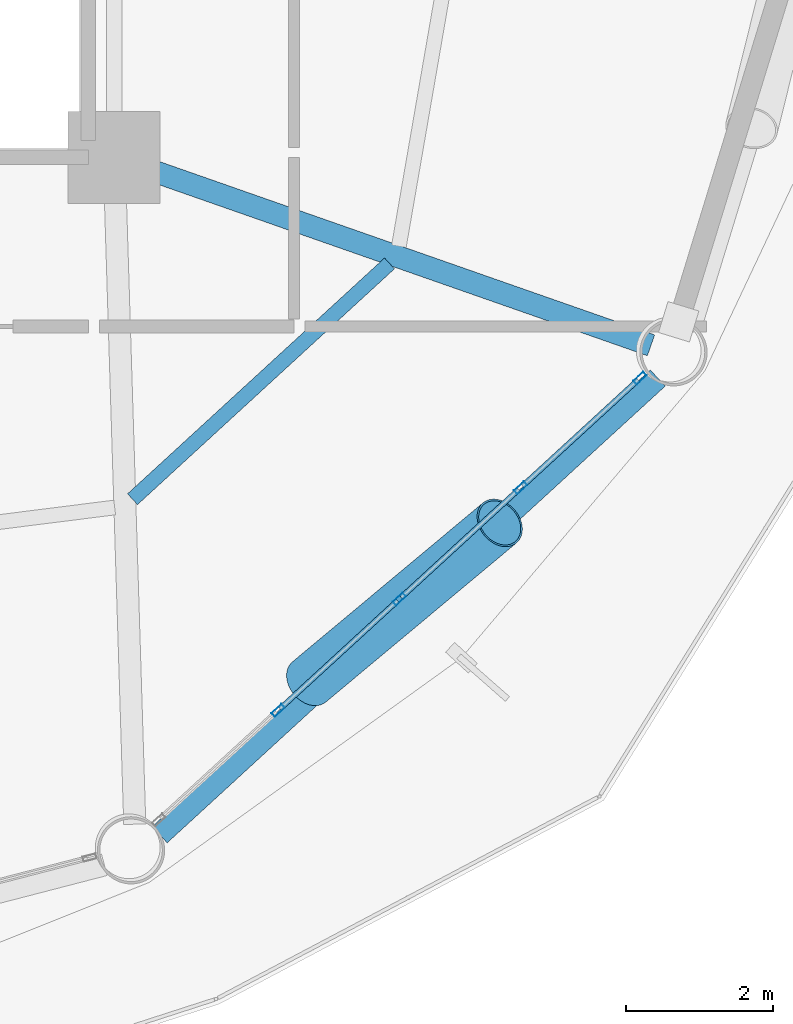
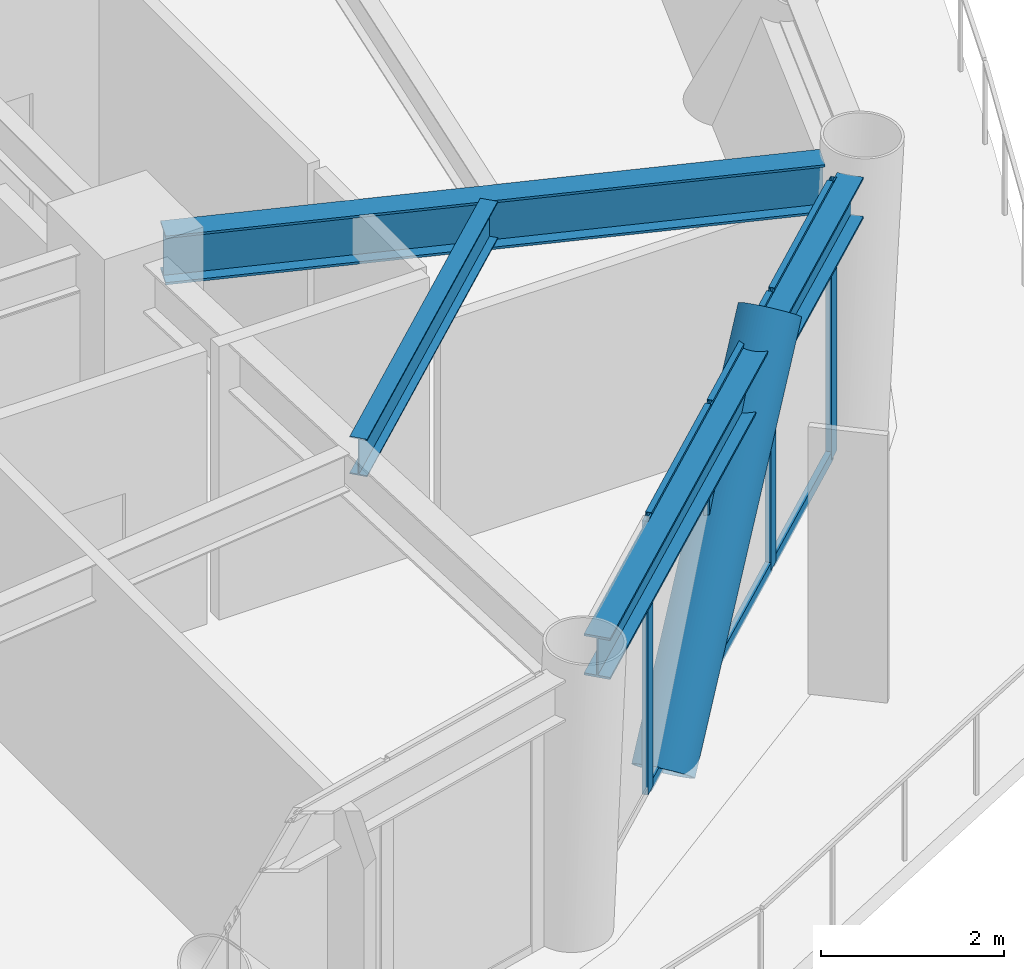
# One storey, part 13 of 23: 11 members, 3 beams, 1 element without a shape of its own.
"""IFC4 building model written with IfcOpenShell, lengths in metres."""

import ifcopenshell
import ifcopenshell.guid

model = None  # the IFC model being written
_history = None  # IfcOwnerHistory: only IFC2X3 demands one
_inside = {}  # id of a spatial element -> (the spatial element, [elements in it])
_under = {}  # id of a project, library or spatial element -> (it, [spatial elements below it])
_declared = {}  # id of a project -> (the project, [libraries it declares])
_typed = {}  # id of a type object -> (the type object, [elements of that type])
_made_of = {}  # id of a material, layer set ... -> (it, [elements and type objects made of it])


def new_model(schema):
    """Start an empty IFC model of exactly this schema.

    Asked for "IFC4X3", IfcOpenShell would pick the latest addendum, in which some entities
    have other attributes; the version numbers below select the first issue.
    IFC2X3 requires an IfcOwnerHistory on every rooted entity: one is made here for all.
    """
    global model, _history
    if schema == "IFC4X3":
        model = ifcopenshell.file(schema_version=(4, 3, 0, 0))
    else:
        model = ifcopenshell.file(schema=schema)
    _inside.clear()
    _under.clear()
    _declared.clear()
    _typed.clear()
    _made_of.clear()
    _history = None
    if model.schema == "IFC2X3":
        org = make("IfcOrganization", Name="unknown")
        user = make(
            "IfcPersonAndOrganization",
            ThePerson=make("IfcPerson", FamilyName="unknown"),
            TheOrganization=org,
        )
        app = make(
            "IfcApplication",
            ApplicationDeveloper=org,
            Version="unknown",
            ApplicationFullName="unknown",
            ApplicationIdentifier="unknown",
        )
        _history = make(
            "IfcOwnerHistory",
            OwningUser=user,
            OwningApplication=app,
            ChangeAction="ADDED",
            CreationDate=0,
        )
    return model


def make(cls, **values):
    """One entity of the class cls with the attributes given. An attribute that is None is left unset."""
    return model.create_entity(
        cls, **{name: value for name, value in values.items() if value is not None}
    )


def rooted(cls, **values):
    """An entity with a GlobalId (a new one), such as an element, a storey or a relation."""
    return make(cls, GlobalId=ifcopenshell.guid.new(), OwnerHistory=_history, **values)


def si_unit(unit_type, name, prefix=None):
    """IfcSIUnit, for example si_unit("LENGTHUNIT", "METRE", prefix="MILLI")."""
    return make("IfcSIUnit", UnitType=unit_type, Prefix=prefix, Name=name)


def assignment(units):
    """IfcUnitAssignment: the units of a project."""
    return None if units is None else make("IfcUnitAssignment", Units=units)


def point(xyz):
    """IfcCartesianPoint."""
    return None if xyz is None else make("IfcCartesianPoint", Coordinates=xyz)


def direction(xyz):
    """IfcDirection."""
    return None if xyz is None else make("IfcDirection", DirectionRatios=xyz)


def frame(location, z_axis=None, x_axis=None):
    """IfcAxis2Placement3D, a coordinate frame: its origin and axes. An axis left out is left unset."""
    return make(
        "IfcAxis2Placement3D",
        Location=point(location),
        Axis=direction(z_axis),
        RefDirection=direction(x_axis),
    )


def frame_2d(location, x_axis=None):
    """IfcAxis2Placement2D, a coordinate frame in the plane: its origin and x axis."""
    return make(
        "IfcAxis2Placement2D", Location=point(location), RefDirection=direction(x_axis)
    )


def origin():
    """The frame at (0, 0, 0) with its axes left unset."""
    return frame((0.0, 0.0, 0.0))


def origin_2d():
    """The frame at (0, 0) in the plane with its x axis left unset."""
    return frame_2d((0.0, 0.0))


def place(relative_to, where):
    """IfcLocalPlacement: puts the frame where relative to a parent placement (None: the world)."""
    return make(
        "IfcLocalPlacement", PlacementRelTo=relative_to, RelativePlacement=where
    )


def context(
    kind, dimensions, precision=None, world=None, true_north=None, identifier=None
):
    """IfcGeometricRepresentationContext, for example the 3D "Model" context."""
    return make(
        "IfcGeometricRepresentationContext",
        ContextIdentifier=identifier,
        ContextType=kind,
        CoordinateSpaceDimension=dimensions,
        Precision=precision,
        WorldCoordinateSystem=world,
        TrueNorth=true_north,
    )


def subcontext(parent, identifier, kind, view, scale=None):
    """IfcGeometricRepresentationSubContext, for example "Body" below "Model"."""
    return make(
        "IfcGeometricRepresentationSubContext",
        ContextIdentifier=identifier,
        ContextType=kind,
        ParentContext=parent,
        TargetScale=scale,
        TargetView=view,
    )


def project(units=None, contexts=None):
    """IfcProject with its units and contexts."""
    return rooted(
        "IfcProject",
        Name="project",
        RepresentationContexts=contexts,
        UnitsInContext=assignment(units),
    )


def spatial(cls, under=None, at=None, **own):
    """A site, building, storey or space (cls), placed at a placement, below another one or the project."""
    s = rooted(cls, ObjectPlacement=at, **own)
    if under is not None:
        _under.setdefault(under.id(), (under, []))[1].append(s)
    return s


def profile(cls, at=None, kind="AREA", **sizes):
    """A parametric profile (cls). Its sizes go by their IFC names, for example OverallWidth=200.0."""
    return make(cls, ProfileType=kind, Position=at, **sizes)


def hollow_rectangle(**sizes):
    """IfcRectangleHollowProfileDef."""
    return profile("IfcRectangleHollowProfileDef", **sizes)


def hollow_circle(**sizes):
    """IfcCircleHollowProfileDef."""
    return profile("IfcCircleHollowProfileDef", **sizes)


def i_section(**sizes):
    """IfcIShapeProfileDef."""
    return profile("IfcIShapeProfileDef", **sizes)


def extrude(swept, where, along, depth):
    """IfcExtrudedAreaSolid: the profile swept, set in the frame where, extruded along a direction by depth."""
    return make(
        "IfcExtrudedAreaSolid",
        SweptArea=swept,
        Position=where,
        ExtrudedDirection=direction(along),
        Depth=depth,
    )


def shape(context_of_items, identifier, shape_type, items):
    """IfcShapeRepresentation: the items that make up one representation, for example the "Body"."""
    return make(
        "IfcShapeRepresentation",
        ContextOfItems=context_of_items,
        RepresentationIdentifier=identifier,
        RepresentationType=shape_type,
        Items=items,
    )


def material(Name=None, Category=None):
    """IfcMaterial."""
    return make("IfcMaterial", Name=Name, Category=Category)


def layer(
    of_material, thickness, ventilated=None, Name=None, Category=None, Priority=None
):
    """IfcMaterialLayer: one layer of a wall or slab, of a material (None: an air gap)."""
    return make(
        "IfcMaterialLayer",
        Material=of_material,
        LayerThickness=thickness,
        IsVentilated=ventilated,
        Name=Name,
        Category=Category,
        Priority=Priority,
    )


def layer_set(layers, Name=None):
    """IfcMaterialLayerSet."""
    return make("IfcMaterialLayerSet", MaterialLayers=layers, LayerSetName=Name)


def material_profile(
    of_material, cross_section, Name=None, Category=None, Priority=None
):
    """IfcMaterialProfile: a cross section and its material."""
    return make(
        "IfcMaterialProfile",
        Name=Name,
        Material=of_material,
        Profile=cross_section,
        Priority=Priority,
        Category=Category,
    )


def profile_set(profiles, Name=None, composite=None):
    """IfcMaterialProfileSet."""
    return make(
        "IfcMaterialProfileSet",
        Name=Name,
        MaterialProfiles=profiles,
        CompositeProfile=composite,
    )


def made_of(thing, what):
    """Note that an element or type object is made of a material, layer set ...; save() writes the relation."""
    if what is not None:
        _made_of.setdefault(what.id(), (what, []))[1].append(thing)
    return thing


def type_object(cls, material=None, **own):
    """A type object (cls), such as IfcWallType, which elements share."""
    return made_of(rooted(cls, **own), material)


def element(
    cls,
    number,
    at=None,
    inside=None,
    cuts=None,
    type_object=None,
    material=None,
    context=None,
    identifier="Body",
    shape_type=None,
    held_by="IfcProductDefinitionShape",
    body=None,
    shapes=None,
    **own,
):
    """One element of the class cls, such as IfcWall. Its Tag is "e" and its number.

    at: its placement. inside: the storey or other place that contains it. cuts: it is an
    opening in that element (IfcRelVoidsElement). A single representation is given by context,
    identifier, shape_type and body (its items); several are given by shapes. held_by: the class
    of the entity that holds the representations. save() writes the other relations.
    """
    e = rooted(cls, Tag="e%d" % number, ObjectPlacement=at, **own)
    if body is not None:
        shapes = [shape(context, identifier, shape_type, body)]
    if shapes is not None:
        e.Representation = make(held_by, Representations=shapes)
    if inside is not None:
        _inside.setdefault(inside.id(), (inside, []))[1].append(e)
    if cuts is not None:
        rooted(
            "IfcRelVoidsElement", RelatingBuildingElement=cuts, RelatedOpeningElement=e
        )
    if type_object is not None:
        _typed.setdefault(type_object.id(), (type_object, []))[1].append(e)
    return made_of(e, material)


def aggregate(whole, parts):
    """IfcRelAggregates: a whole, such as a stair, and the parts it consists of."""
    return rooted("IfcRelAggregates", RelatingObject=whole, RelatedObjects=parts)


def save(model, path):
    """Write the relations noted so far, then the file.

    IfcRelAggregates (storeys below a building ...), IfcRelContainedInSpatialStructure (elements
    in a storey), IfcRelDefinesByType, IfcRelAssociatesMaterial and IfcRelDeclares: one each for
    every whole, place, type object, material and project.
    """
    for whole, parts in _under.values():
        aggregate(whole, parts)
    for where, things in _inside.values():
        rooted(
            "IfcRelContainedInSpatialStructure",
            RelatedElements=things,
            RelatingStructure=where,
        )
    for kind, things in _typed.values():
        rooted("IfcRelDefinesByType", RelatedObjects=things, RelatingType=kind)
    for what, things in _made_of.values():
        rooted("IfcRelAssociatesMaterial", RelatedObjects=things, RelatingMaterial=what)
    for by, libraries in _declared.values():
        rooted("IfcRelDeclares", RelatingContext=by, RelatedDefinitions=libraries)
    model.write(path)


model = new_model("IFC4")

# Units and contexts
model_context = context("Model", 3, precision=1e-05, world=origin(), true_north=direction((0.0, 1.0)))
body_context = subcontext(model_context, "Body", "Model", "MODEL_VIEW")
ifc_project = project(units=[si_unit("LENGTHUNIT", "METRE"), si_unit("AREAUNIT", "SQUARE_METRE"), si_unit("VOLUMEUNIT", "CUBIC_METRE"), si_unit("PLANEANGLEUNIT", "RADIAN"), si_unit("MASSUNIT", "GRAM", prefix="KILO")], contexts=[model_context])

# Site, building, storey
site_placement = place(None, origin())
site = spatial("IfcSite", under=ifc_project, at=site_placement, CompositionType="ELEMENT")
building_placement = place(site_placement, origin())
building = spatial("IfcBuilding", under=site, at=building_placement, Name="Varnakorn Sky Granary", CompositionType="ELEMENT")
storey_placement = place(building_placement, frame((0.0, 0.0, 31.5)))
storey = spatial("IfcBuildingStorey", under=building, at=storey_placement, Name="L07", CompositionType="ELEMENT", Elevation=31.5)

# Beams
ifc_material_1 = material(Name="Steel S355JR", Category="steel")
ifc_material_profile_1 = material_profile(ifc_material_1, i_section(OverallWidth=0.300048828125, OverallDepth=0.64990234375, WebThickness=0.01611328125, FlangeThickness=0.031005859375, at=origin_2d()), Name="HE 650 B")
ifc_profile_set_1 = profile_set([ifc_material_profile_1], Name="Steel S355JR")
beam_type_1 = type_object("IfcBeamType", Name="BM-RAD-Z1", PredefinedType="BEAM", material=ifc_profile_set_1)
beam_1_placement = place(storey_placement, frame((8.746337890625, -6.73876953125, 3.31494140625), z_axis=(0.943829227459, -0.330433638413, 0.0), x_axis=(0.330433638413, 0.943829227459, 0.0)))
element("IfcBeam", 1, at=beam_1_placement, inside=storey, type_object=beam_type_1, Name="Radial Floor Girder RG12 L07", PredefinedType="BEAM", context=body_context, shape_type="SweptSolid", body=[
    extrude(i_section(OverallWidth=0.300048828125, OverallDepth=0.64990234375, WebThickness=0.01611328125, FlangeThickness=0.031005859375, at=origin_2d()), origin(), (0.0, 0.0, 1.0), 7.318359375),
])
ifc_material_profile_2 = material_profile(ifc_material_1, i_section(OverallWidth=0.199951171875, OverallDepth=0.5, WebThickness=0.01025390625, FlangeThickness=0.01611328125, at=origin_2d()), Name="IPE 500")
ifc_profile_set_2 = profile_set([ifc_material_profile_2], Name="Steel S355JR")
beam_type_2 = type_object("IfcBeamType", Name="BM-SEC-Z1", PredefinedType="BEAM", material=ifc_profile_set_2)
beam_2_placement = place(storey_placement, frame((8.60009765625, -11.2509765625, 3.389892578125), z_axis=(0.736808094222, 0.676101939273, 0.0), x_axis=(-0.676101939273, 0.736808094222, 0.0)))
element("IfcBeam", 2, at=beam_2_placement, inside=storey, type_object=beam_type_2, Name="Secondary Floor Chord Beam MSB11 L07", PredefinedType="BEAM", context=body_context, shape_type="SweptSolid", body=[
    extrude(i_section(OverallWidth=0.199951171875, OverallDepth=0.5, WebThickness=0.01025390625, FlangeThickness=0.01611328125, at=origin_2d()), origin(), (0.0, 0.0, 1.0), 4.74560546875),
])
ifc_material_profile_3 = material_profile(ifc_material_1, i_section(OverallWidth=0.300048828125, OverallDepth=0.550048828125, WebThickness=0.014892578125, FlangeThickness=0.029052734375, at=origin_2d()), Name="HE 550 B")
ifc_profile_set_3 = profile_set([ifc_material_profile_3], Name="Steel S355JR")
beam_type_3 = type_object("IfcBeamType", Name="BM-SPD-Z1", PredefinedType="SPANDREL", material=ifc_profile_set_3)
beam_3_placement = place(storey_placement, frame((8.97021484375, -15.814697265625, 3.364990234375), z_axis=(0.737015215485, 0.675876151483, 0.0), x_axis=(-0.675876151483, 0.737015215485, 0.0)))
element("IfcBeam", 3, at=beam_3_placement, inside=storey, type_object=beam_type_3, Name="Perimeter Spandrel Ring Beam RB11 L07", PredefinedType="SPANDREL", context=body_context, shape_type="SweptSolid", body=[
    extrude(i_section(OverallWidth=0.300048828125, OverallDepth=0.550048828125, WebThickness=0.014892578125, FlangeThickness=0.029052734375, at=origin_2d()), origin(), (0.0, 0.0, 1.0), 9.1923828125),
])

# Curtain wall, members
ifc_material_2 = material(Name="Anodised Bronze Aluminium Alloy 6063-T6", Category="aluminium")
ifc_layer = layer(ifc_material_2, 0.18994140625, Name="Anodised Bronze Aluminium Alloy 6063-T6")
ifc_layer_set = layer_set([ifc_layer], Name="Anodised Bronze Aluminium Alloy 6063-T6")
curtain_wall_type = type_object("IfcCurtainWallType", Name="CW-FRM-1", PredefinedType="USERDEFINED", material=ifc_layer_set)
curtain_wall_placement = place(storey_placement, origin())
curtain_wall = element("IfcCurtainWall", 4, at=curtain_wall_placement, inside=storey, type_object=curtain_wall_type, Name="Unitised Curtain Wall CW3 CW-L07-B11", ObjectType="CURTAIN WALL", PredefinedType="USERDEFINED")
ifc_material_profile_4 = material_profile(ifc_material_2, hollow_rectangle(XDim=0.070068359375, YDim=0.18505859375, WallThickness=0.00390625, at=origin_2d()), Name="ALU MULL 70x185")
ifc_profile_set_4 = profile_set([ifc_material_profile_4], Name="Anodised Bronze Aluminium Alloy 6063-T6")
member_type_1 = type_object("IfcMemberType", Name="CW-FRM-1-MULL", PredefinedType="MULLION", material=ifc_profile_set_4)
member_1_placement = place(storey_placement, frame((15.503173828125, -9.603759765625, 0.0), z_axis=(0.0, 0.0, 1.0), x_axis=(0.676386704621, -0.736546689499, 0.0)))
member_1 = element("IfcMember", 5, at=member_1_placement, type_object=member_type_1, Name="CW3 mullion 1", PredefinedType="MULLION", context=body_context, shape_type="SweptSolid", body=[
    extrude(hollow_rectangle(XDim=0.070068359375, YDim=0.18505859375, WallThickness=0.00390625, at=origin_2d()), origin(), (0.0, 0.0, 1.0), 3.639892578125),
])
member_2_placement = place(storey_placement, frame((13.879638671875, -11.0947265625, 0.0), z_axis=(0.0, 0.0, 1.0), x_axis=(0.676386704621, -0.736546689499, 0.0)))
member_2 = element("IfcMember", 6, at=member_2_placement, type_object=member_type_1, Name="CW3 mullion 2", PredefinedType="MULLION", context=body_context, shape_type="SweptSolid", body=[
    extrude(hollow_rectangle(XDim=0.070068359375, YDim=0.18505859375, WallThickness=0.00390625, at=origin_2d()), origin(), (0.0, 0.0, 1.0), 3.639892578125),
])
member_3_placement = place(storey_placement, frame((12.230712890625, -12.609130859375, 0.0), z_axis=(0.0, 0.0, 1.0), x_axis=(0.676386704621, -0.736546689499, 0.0)))
member_3 = element("IfcMember", 7, at=member_3_placement, type_object=member_type_1, Name="CW3 mullion 3", PredefinedType="MULLION", context=body_context, shape_type="SweptSolid", body=[
    extrude(hollow_rectangle(XDim=0.070068359375, YDim=0.18505859375, WallThickness=0.00390625, at=origin_2d()), origin(), (0.0, 0.0, 1.0), 3.639892578125),
])
member_4_placement = place(storey_placement, frame((10.58154296875, -14.12353515625, 0.0), z_axis=(0.0, 0.0, 1.0), x_axis=(0.676386704621, -0.736546689499, 0.0)))
member_4 = element("IfcMember", 8, at=member_4_placement, type_object=member_type_1, Name="CW3 mullion 4", PredefinedType="MULLION", context=body_context, shape_type="SweptSolid", body=[
    extrude(hollow_rectangle(XDim=0.070068359375, YDim=0.18505859375, WallThickness=0.00390625, at=origin_2d()), origin(), (0.0, 0.0, 1.0), 3.639892578125),
])
ifc_material_profile_5 = material_profile(ifc_material_2, hollow_rectangle(XDim=0.070068359375, YDim=0.139892578125, WallThickness=0.00341796875, at=origin_2d()), Name="ALU TRAN 70x140")
ifc_profile_set_5 = profile_set([ifc_material_profile_5], Name="Anodised Bronze Aluminium Alloy 6063-T6")
member_type_2 = type_object("IfcMemberType", Name="CW-FRM-1-TRAN", PredefinedType="USERDEFINED", material=ifc_profile_set_5)
member_5_placement = place(storey_placement, frame((15.477294921875, -9.62744140625, 0.034912109375), z_axis=(-0.736498483577, -0.676439194376, 0.0), x_axis=(0.676439194376, -0.736498483577, 0.0)))
member_5 = element("IfcMember", 9, at=member_5_placement, type_object=member_type_2, Name="CW3 transom 1.1", ObjectType="TRANSOM", PredefinedType="USERDEFINED", context=body_context, shape_type="SweptSolid", body=[
    extrude(hollow_rectangle(XDim=0.070068359375, YDim=0.139892578125, WallThickness=0.00341796875, at=origin_2d()), origin(), (0.0, 0.0, 1.0), 2.134033203125),
])
member_6_placement = place(storey_placement, frame((15.477294921875, -9.62744140625, 3.60498046875), z_axis=(-0.736498483577, -0.676439194376, 0.0), x_axis=(0.676439194376, -0.736498483577, 0.0)))
member_6 = element("IfcMember", 10, at=member_6_placement, type_object=member_type_2, Name="CW3 transom 1.2", ObjectType="TRANSOM", PredefinedType="USERDEFINED", context=body_context, shape_type="SweptSolid", body=[
    extrude(hollow_rectangle(XDim=0.070068359375, YDim=0.139892578125, WallThickness=0.00341796875, at=origin_2d()), origin(), (0.0, 0.0, 1.0), 2.134033203125),
])
member_7_placement = place(storey_placement, frame((13.85400390625, -11.118408203125, 0.034912109375), z_axis=(-0.736574518081, -0.676356399625, 0.0), x_axis=(0.676356399625, -0.736574518081, 0.0)))
member_7 = element("IfcMember", 11, at=member_7_placement, type_object=member_type_2, Name="CW3 transom 2.1", ObjectType="TRANSOM", PredefinedType="USERDEFINED", context=body_context, shape_type="SweptSolid", body=[
    extrude(hollow_rectangle(XDim=0.070068359375, YDim=0.139892578125, WallThickness=0.00341796875, at=origin_2d()), origin(), (0.0, 0.0, 1.0), 2.1689453125),
])
member_8_placement = place(storey_placement, frame((13.85400390625, -11.118408203125, 3.60498046875), z_axis=(-0.736574518081, -0.676356399625, 0.0), x_axis=(0.676356399625, -0.736574518081, 0.0)))
member_8 = element("IfcMember", 12, at=member_8_placement, type_object=member_type_2, Name="CW3 transom 2.2", ObjectType="TRANSOM", PredefinedType="USERDEFINED", context=body_context, shape_type="SweptSolid", body=[
    extrude(hollow_rectangle(XDim=0.070068359375, YDim=0.139892578125, WallThickness=0.00341796875, at=origin_2d()), origin(), (0.0, 0.0, 1.0), 2.1689453125),
])
member_9_placement = place(storey_placement, frame((12.204833984375, -12.6328125, 0.034912109375), z_axis=(-0.736574518081, -0.676356399625, 0.0), x_axis=(0.676356399625, -0.736574518081, 0.0)))
member_9 = element("IfcMember", 13, at=member_9_placement, type_object=member_type_2, Name="CW3 transom 3.1", ObjectType="TRANSOM", PredefinedType="USERDEFINED", context=body_context, shape_type="SweptSolid", body=[
    extrude(hollow_rectangle(XDim=0.070068359375, YDim=0.139892578125, WallThickness=0.00341796875, at=origin_2d()), origin(), (0.0, 0.0, 1.0), 2.1689453125),
])
member_10_placement = place(storey_placement, frame((12.204833984375, -12.6328125, 3.60498046875), z_axis=(-0.736574518081, -0.676356399625, 0.0), x_axis=(0.676356399625, -0.736574518081, 0.0)))
member_10 = element("IfcMember", 14, at=member_10_placement, type_object=member_type_2, Name="CW3 transom 3.2", ObjectType="TRANSOM", PredefinedType="USERDEFINED", context=body_context, shape_type="SweptSolid", body=[
    extrude(hollow_rectangle(XDim=0.070068359375, YDim=0.139892578125, WallThickness=0.00341796875, at=origin_2d()), origin(), (0.0, 0.0, 1.0), 2.1689453125),
])
aggregate(curtain_wall, [member_1, member_2, member_3, member_4, member_5, member_6, member_7, member_8, member_9, member_10])

# Member
ifc_material_3 = material(Name="Steel S460M", Category="steel")
ifc_material_profile_6 = material_profile(ifc_material_3, hollow_circle(Radius=0.35546875, WallThickness=0.02490234375, at=origin_2d()), Name="CHS 711x25")
ifc_profile_set_6 = profile_set([ifc_material_profile_6], Name="Steel S460M")
member_type_3 = type_object("IfcMemberType", Name="MB-DIAG-T0", PredefinedType="BRACE", material=ifc_profile_set_6)
member_11_placement = place(storey_placement, frame((11.004150390625, -13.7353515625, -0.1298828125), z_axis=(0.500962210966, 0.418034888122, 0.757815080014), x_axis=(-0.640696551773, 0.767794196739, 0.0)))
element("IfcMember", 15, at=member_11_placement, inside=storey, type_object=member_type_3, Name="Perimeter CHS Diagrid Brace DG11 L07", PredefinedType="BRACE", context=body_context, shape_type="SweptSolid", body=[
    extrude(hollow_circle(Radius=0.35546875, WallThickness=0.02490234375, at=origin_2d()), origin(), (0.0, 0.0, 1.0), 5.172607421875),
])

save(model, "model.ifc")
